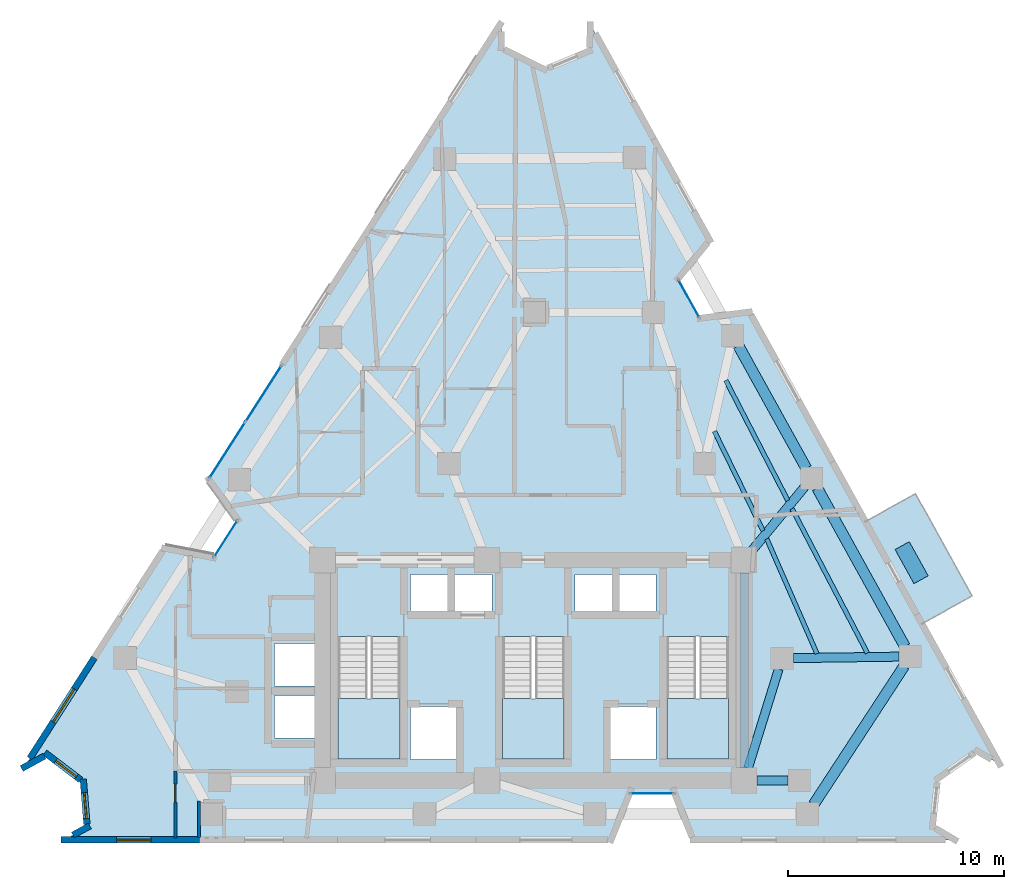
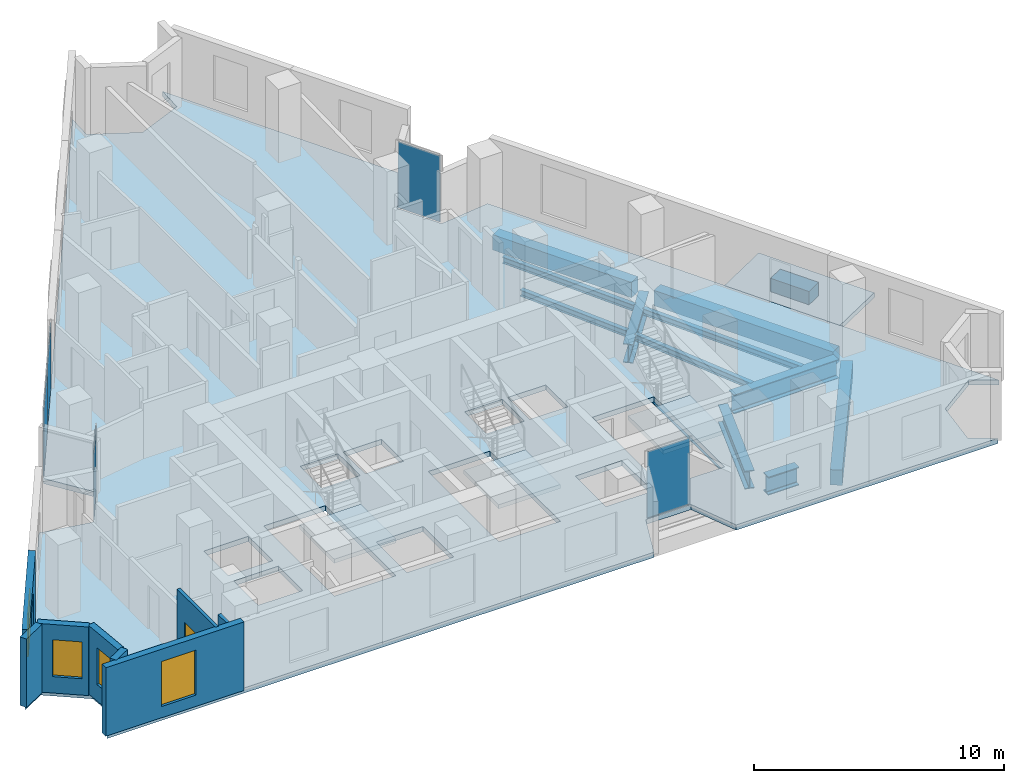
# One storey, part 4 of 11: 12 beams, 8 walls, 6 plates, 5 slabs, 4 windows, 1 door, 5 openings, 7 elements without a shape of their own.
"""IFC4 building model written with IfcOpenShell, lengths in metres."""

from ifc_helpers import new_model, si_unit, direction, frame, frame_2d, origin, origin_2d, place, context, subcontext, project, spatial, polyline, rectangle, i_section, outline, extrude, material, layer, layer_set, material_profile, profile_set, type_object, element, fill, aggregate, save


model = new_model("IFC4")

# Units and contexts
model_context = context("Model", 3, precision=1e-05, world=origin(), true_north=direction((0.0, 1.0)))
body_context = subcontext(model_context, "Body", "Model", "MODEL_VIEW")
ifc_project = project(units=[si_unit("LENGTHUNIT", "METRE"), si_unit("AREAUNIT", "SQUARE_METRE"), si_unit("VOLUMEUNIT", "CUBIC_METRE"), si_unit("PLANEANGLEUNIT", "RADIAN"), si_unit("MASSUNIT", "GRAM", prefix="KILO")], contexts=[model_context])

# Site, building, storey
site_placement = place(None, origin())
site = spatial("IfcSite", under=ifc_project, at=site_placement, CompositionType="ELEMENT")
building_placement = place(site_placement, origin())
building = spatial("IfcBuilding", under=site, at=building_placement, Name="Almagre Mirador Tower", CompositionType="ELEMENT")
storey_placement = place(building_placement, frame((0.0, 0.0, 160.800048828125)))
storey = spatial("IfcBuildingStorey", under=building, at=storey_placement, Name="L41", CompositionType="ELEMENT", Elevation=160.800048828125)

# Beams
ifc_material_1 = material(Name="Steel ASTM A992 Grade 50", Category="steel")
ifc_material_profile_1 = material_profile(ifc_material_1, i_section(OverallWidth=0.205078125, OverallDepth=0.31005859375, WebThickness=0.009521484375, FlangeThickness=0.016357421875, FilletRadius=0.013916015625, at=origin_2d()), Name="W12X50")
ifc_profile_set_1 = profile_set([ifc_material_profile_1], Name="Steel ASTM A992 Grade 50")
beam_type_1 = type_object("IfcBeamType", Name="BM-JST-W12X50", PredefinedType="JOIST", material=ifc_profile_set_1)
beam_1_placement = place(storey_placement, frame((52.744873046875, 10.44189453125, -0.405029296875), z_axis=(-0.462461864281, 0.886639173557, 0.0), x_axis=(-0.886639173557, -0.462461864281, 0.0)))
element("IfcBeam", 1, at=beam_1_placement, inside=storey, type_object=beam_type_1, Name="L41 secondary floor joist PC05-PC06.1", PredefinedType="JOIST", context=body_context, shape_type="SweptSolid", body=[
    extrude(i_section(OverallWidth=0.205078125, OverallDepth=0.31005859375, WebThickness=0.009521484375, FlangeThickness=0.016357421875, FilletRadius=0.013916015625, at=origin_2d()), origin(), (0.0, 0.0, 1.0), 7.53125),
])
beam_2_placement = place(storey_placement, frame((50.413330078125, 10.415283203125, -0.405029296875), z_axis=(-0.400714832281, 0.91620282863, 0.0), x_axis=(-0.91620282863, -0.400714832281, 0.0)))
element("IfcBeam", 2, at=beam_2_placement, inside=storey, type_object=beam_type_1, Name="L41 secondary floor joist PC05-PC06.3", PredefinedType="JOIST", context=body_context, shape_type="SweptSolid", body=[
    extrude(i_section(OverallWidth=0.205078125, OverallDepth=0.31005859375, WebThickness=0.009521484375, FlangeThickness=0.016357421875, FilletRadius=0.013916015625, at=origin_2d()), origin(), (0.0, 0.0, 1.0), 5.7880859375),
])
beam_3_placement = place(storey_placement, frame((49.069580078125, 17.490478515625, -0.405029296875), z_axis=(-0.458793060053, 0.888543149232, 0.0), x_axis=(-0.888543149232, -0.458793060053, 0.0)))
element("IfcBeam", 3, at=beam_3_placement, inside=storey, type_object=beam_type_1, Name="L41 secondary floor joist PC06-PC07.1", PredefinedType="JOIST", context=body_context, shape_type="SweptSolid", body=[
    extrude(i_section(OverallWidth=0.205078125, OverallDepth=0.31005859375, WebThickness=0.009521484375, FlangeThickness=0.016357421875, FilletRadius=0.013916015625, at=origin_2d()), origin(), (0.0, 0.0, 1.0), 6.254150390625),
])
beam_4_placement = place(storey_placement, frame((47.91845703125, 16.097412109375, -0.405029296875), z_axis=(-0.439128899416, 0.898424070079, 0.0), x_axis=(-0.898424070079, -0.439128899416, 0.0)))
element("IfcBeam", 4, at=beam_4_placement, inside=storey, type_object=beam_type_1, Name="L41 secondary floor joist PC06-PC07.3", PredefinedType="JOIST", context=body_context, shape_type="SweptSolid", body=[
    extrude(i_section(OverallWidth=0.205078125, OverallDepth=0.31005859375, WebThickness=0.009521484375, FlangeThickness=0.016357421875, FilletRadius=0.013916015625, at=origin_2d()), origin(), (0.0, 0.0, 1.0), 5.12109375),
])
ifc_material_2 = material(Name="Precast concrete C50/60", Category="concrete")
ifc_material_profile_2 = material_profile(ifc_material_2, rectangle(XDim=0.5, YDim=0.75, at=origin_2d()), Name="RC500X750")
ifc_profile_set_2 = profile_set([ifc_material_profile_2], Name="Precast concrete C50/60")
beam_type_2 = type_object("IfcBeamType", Name="BM-SPN-RC500X750", PredefinedType="SPANDREL", material=ifc_profile_set_2)
beam_5_placement = place(storey_placement, frame((50.26318359375, 3.439453125, -0.625), z_axis=(0.546935461459, 0.83717477327, 0.0), x_axis=(-0.83717477327, 0.546935461459, 0.0)))
element("IfcBeam", 5, at=beam_5_placement, inside=storey, type_object=beam_type_2, Name="L41 perimeter spandrel beam PC04-PC05", PredefinedType="SPANDREL", context=body_context, shape_type="SweptSolid", body=[
    extrude(rectangle(XDim=0.5, YDim=0.75, at=origin_2d()), origin(), (0.0, 0.0, 1.0), 7.649658203125),
])
beam_6_placement = place(storey_placement, frame((54.479736328125, 10.742431640625, -0.625), z_axis=(-0.484193045523, 0.874961196092, 0.0), x_axis=(-0.874961196092, -0.484193045523, 0.0)))
element("IfcBeam", 6, at=beam_6_placement, inside=storey, type_object=beam_type_2, Name="L41 perimeter spandrel beam PC05-PC06", PredefinedType="SPANDREL", context=body_context, shape_type="SweptSolid", body=[
    extrude(rectangle(XDim=0.5, YDim=0.75, at=origin_2d()), origin(), (0.0, 0.0, 1.0), 8.36767578125),
])
beam_7_placement = place(storey_placement, frame((49.919921875, 18.982421875, -0.625), z_axis=(-0.484219637984, 0.874946479615, 0.0), x_axis=(-0.874946479615, -0.484219637984, 0.0)))
element("IfcBeam", 7, at=beam_7_placement, inside=storey, type_object=beam_type_2, Name="L41 perimeter spandrel beam PC06-PC07", PredefinedType="SPANDREL", context=body_context, shape_type="SweptSolid", body=[
    extrude(rectangle(XDim=0.5, YDim=0.75, at=origin_2d()), origin(), (0.0, 0.0, 1.0), 6.48388671875),
])
ifc_material_3 = material(Name="Steel ASTM A992 Grade 50", Category="steel")
ifc_material_profile_3 = material_profile(ifc_material_3, i_section(OverallWidth=0.404052734375, OverallDepth=0.884033203125, WebThickness=0.0244140625, FlangeThickness=0.0439453125, FilletRadius=0.02490234375, at=origin_2d()), Name="W33X291")
ifc_profile_set_3 = profile_set([ifc_material_profile_3], Name="Steel ASTM A992 Grade 50")
beam_type_3 = type_object("IfcBeamType", Name="BM-STL-W33X291", PredefinedType="BEAM", material=ifc_profile_set_3)
beam_8_placement = place(storey_placement, frame((47.050048828125, 5.14990234375, -0.692138671875), z_axis=(0.0, 1.0, 0.0), x_axis=(-1.0, 0.0, 0.0)))
element("IfcBeam", 8, at=beam_8_placement, inside=storey, type_object=beam_type_3, Name="L41 core tie girder CC3-CC6", PredefinedType="BEAM", context=body_context, shape_type="SweptSolid", body=[
    extrude(i_section(OverallWidth=0.404052734375, OverallDepth=0.884033203125, WebThickness=0.0244140625, FlangeThickness=0.0439453125, FilletRadius=0.02490234375, at=origin_2d()), origin(), (0.0, 0.0, 1.0), 9.0),
])
beam_9_placement = place(storey_placement, frame((49.074951171875, 4.550048828125, -0.692138671875), z_axis=(-1.0, 0.0, 0.0), x_axis=(0.0, -1.0, 0.0)))
element("IfcBeam", 9, at=beam_9_placement, inside=storey, type_object=beam_type_3, Name="L41 core tie girder MC2-CC3", PredefinedType="BEAM", context=body_context, shape_type="SweptSolid", body=[
    extrude(i_section(OverallWidth=0.404052734375, OverallDepth=0.884033203125, WebThickness=0.0244140625, FlangeThickness=0.0439453125, FilletRadius=0.02490234375, at=origin_2d()), origin(), (0.0, 0.0, 1.0), 1.425048828125),
])
beam_10_placement = place(storey_placement, frame((48.644775390625, 9.698486328125, -0.692138671875), z_axis=(-0.295879743348, -0.955225197258, 0.0), x_axis=(0.955225197258, -0.295879743348, 0.0)))
element("IfcBeam", 10, at=beam_10_placement, inside=storey, type_object=beam_type_3, Name="L41 core tie girder MC3-CC3", PredefinedType="BEAM", context=body_context, shape_type="SweptSolid", body=[
    extrude(i_section(OverallWidth=0.404052734375, OverallDepth=0.884033203125, WebThickness=0.0244140625, FlangeThickness=0.0439453125, FilletRadius=0.02490234375, at=origin_2d()), origin(), (0.0, 0.0, 1.0), 4.789794921875),
])
ifc_material_4 = material(Name="Steel ASTM A992 Grade 50", Category="steel")
ifc_material_profile_4 = material_profile(ifc_material_4, i_section(OverallWidth=0.41796875, OverallDepth=0.927001953125, WebThickness=0.019287109375, FlangeThickness=0.031982421875, FilletRadius=0.028076171875, at=origin_2d()), Name="W36X231")
ifc_profile_set_4 = profile_set([ifc_material_profile_4], Name="Steel ASTM A992 Grade 50")
beam_type_4 = type_object("IfcBeamType", Name="BM-STL-W36X231", PredefinedType="BEAM", material=ifc_profile_set_4)
beam_11_placement = place(storey_placement, frame((54.208984375, 10.275634765625, -0.713623046875), z_axis=(-0.999902063371, -0.013995130105, 0.0), x_axis=(0.013995130105, -0.999902063371, 0.0)))
element("IfcBeam", 11, at=beam_11_placement, inside=storey, type_object=beam_type_4, Name="L41 radial floor girder PC05-MC3", PredefinedType="BEAM", context=body_context, shape_type="SweptSolid", body=[
    extrude(i_section(OverallWidth=0.41796875, OverallDepth=0.927001953125, WebThickness=0.019287109375, FlangeThickness=0.031982421875, FilletRadius=0.028076171875, at=origin_2d()), origin(), (0.0, 0.0, 1.0), 4.884521484375),
])
beam_12_placement = place(storey_placement, frame((49.839111328125, 18.11865234375, -0.713623046875), z_axis=(-0.637743806267, -0.770248555707, 0.0), x_axis=(0.770248555707, -0.637743806267, 0.0)))
element("IfcBeam", 12, at=beam_12_placement, inside=storey, type_object=beam_type_4, Name="L41 radial floor girder PC06-CC6", PredefinedType="BEAM", context=body_context, shape_type="SweptSolid", body=[
    extrude(i_section(OverallWidth=0.41796875, OverallDepth=0.927001953125, WebThickness=0.019287109375, FlangeThickness=0.031982421875, FilletRadius=0.028076171875, at=origin_2d()), origin(), (0.0, 0.0, 1.0), 3.7734375),
])

# Curtain wall, plate
ifc_material_5 = material(Name="Black anodized aluminium", Category="aluminium")
ifc_layer_1 = layer(ifc_material_5, 0.169921875)
ifc_layer_set_1 = layer_set([ifc_layer_1], Name="Black anodized aluminium")
curtain_wall_type_1 = type_object("IfcCurtainWallType", Name="CW-CRS-SYS", PredefinedType="NOTDEFINED", material=ifc_layer_set_1)
curtain_wall_1_placement = place(storey_placement, origin())
curtain_wall_1 = element("IfcCurtainWall", 13, at=curtain_wall_1_placement, inside=storey, type_object=curtain_wall_type_1, Name="L41 vertical crease curtain wall 01", PredefinedType="NOTDEFINED")
ifc_material_6 = material(Name="Dark solar-control laminated hurricane glass", Category="glass")
ifc_layer_2 = layer(ifc_material_6, 0.028076171875)
ifc_layer_set_2 = layer_set([ifc_layer_2], Name="Dark solar-control laminated hurricane glass")
plate_type_1 = type_object("IfcPlateType", Name="PLT-GLZ-28", PredefinedType="CURTAIN_PANEL", material=ifc_layer_set_2)
plate_1_placement = place(storey_placement, frame((23.076904296875, 15.72607421875, 0.06005859375), z_axis=(0.0, 0.0, 1.0), x_axis=(0.539596564827, 0.841923718176, 0.0)))
plate_1 = element("IfcPlate", 14, at=plate_1_placement, type_object=plate_type_1, Name="CW-4 panel 1.1", PredefinedType="CURTAIN_PANEL", context=body_context, shape_type="SweptSolid", body=[
    extrude(rectangle(XDim=1.970458984375, YDim=0.028076171875, at=origin_2d()), origin(), (0.0, 0.0, 1.0), 3.22998046875),
])
aggregate(curtain_wall_1, [plate_1])

curtain_wall_2_placement = place(storey_placement, origin())
curtain_wall_2 = element("IfcCurtainWall", 15, at=curtain_wall_2_placement, inside=storey, type_object=curtain_wall_type_1, Name="L41 vertical crease curtain wall 03", PredefinedType="NOTDEFINED")
plate_2_placement = place(storey_placement, frame((44.490966796875, 26.8310546875, 0.06005859375), z_axis=(0.0, 0.0, 1.0), x_axis=(0.48434204979, -0.874878722341, 0.0)))
plate_2 = element("IfcPlate", 16, at=plate_2_placement, type_object=plate_type_1, Name="CW-4 panel 1.1", PredefinedType="CURTAIN_PANEL", context=body_context, shape_type="SweptSolid", body=[
    extrude(rectangle(XDim=1.969482421875, YDim=0.028076171875, at=origin_2d()), origin(), (0.0, 0.0, 1.0), 3.22998046875),
])
aggregate(curtain_wall_2, [plate_2])

curtain_wall_3_placement = place(storey_placement, origin())
curtain_wall_3 = element("IfcCurtainWall", 17, at=curtain_wall_3_placement, inside=storey, type_object=curtain_wall_type_1, Name="L41 vertical crease curtain wall 04", PredefinedType="NOTDEFINED")
plate_3_placement = place(storey_placement, frame((42.7919921875, 3.949951171875, 0.06005859375), z_axis=(0.0, 0.0, 1.0), x_axis=(-1.0, 0.0, 0.0)))
plate_3 = element("IfcPlate", 18, at=plate_3_placement, type_object=plate_type_1, Name="CW-4 panel 1.1", PredefinedType="CURTAIN_PANEL", context=body_context, shape_type="SweptSolid", body=[
    extrude(rectangle(XDim=1.969970703125, YDim=0.028076171875, at=origin_2d()), origin(), (0.0, 0.0, 1.0), 3.22998046875),
])
aggregate(curtain_wall_3, [plate_3])

# Curtain wall, plates
ifc_material_7 = material(Name="Black anodized aluminium", Category="aluminium")
ifc_layer_3 = layer(ifc_material_7, 0.199951171875)
ifc_layer_set_3 = layer_set([ifc_layer_3], Name="Black anodized aluminium")
curtain_wall_type_2 = type_object("IfcCurtainWallType", Name="CW-RES-H-SYS", PredefinedType="NOTDEFINED", material=ifc_layer_set_3)
curtain_wall_4_placement = place(storey_placement, origin())
curtain_wall_4 = element("IfcCurtainWall", 19, at=curtain_wall_4_placement, inside=storey, type_object=curtain_wall_type_2, Name="L41 curtain wall run 02", PredefinedType="NOTDEFINED")
ifc_material_8 = material(Name="Dark solar-control laminated hurricane glass", Category="glass")
ifc_layer_4 = layer(ifc_material_8, 0.035888671875)
ifc_layer_set_4 = layer_set([ifc_layer_4], Name="Dark solar-control laminated hurricane glass")
plate_type_2 = type_object("IfcPlateType", Name="PLT-GLZ-36", PredefinedType="CURTAIN_PANEL", material=ifc_layer_set_4)
plate_4_placement = place(storey_placement, frame((23.147705078125, 19.8203125, 0.06494140625), z_axis=(0.0, 0.0, 1.0), x_axis=(0.539506915253, 0.841981168669, 0.0)))
plate_4 = element("IfcPlate", 20, at=plate_4_placement, type_object=plate_type_2, Name="CW-3 panel 1.1", PredefinedType="CURTAIN_PANEL", context=body_context, shape_type="SweptSolid", body=[
    extrude(rectangle(XDim=3.0419921875, YDim=0.035888671875, at=origin_2d()), origin(), (0.0, 0.0, 1.0), 3.219970703125),
])
plate_5_placement = place(storey_placement, frame((24.823974609375, 22.436279296875, 0.06494140625), z_axis=(0.0, 0.0, 1.0), x_axis=(0.539506915253, 0.841981168669, 0.0)))
plate_5 = element("IfcPlate", 21, at=plate_5_placement, type_object=plate_type_2, Name="CW-3 panel 2.1", PredefinedType="CURTAIN_PANEL", context=body_context, shape_type="SweptSolid", body=[
    extrude(rectangle(XDim=3.0419921875, YDim=0.035888671875, at=origin_2d()), origin(), (0.0, 0.0, 1.0), 3.219970703125),
])
aggregate(curtain_wall_4, [plate_4, plate_5])

# Plate
ifc_material_9 = material(Name="Precast concrete C50/60", Category="concrete")
ifc_layer_5 = layer(ifc_material_9, 0.64990234375)
ifc_layer_set_5 = layer_set([ifc_layer_5], Name="Precast concrete C50/60")
plate_type_3 = type_object("IfcPlateType", Name="PLT-PLANTER-1800", PredefinedType="USERDEFINED", material=ifc_layer_set_5)
plate_6_placement = place(storey_placement, frame((54.791015625, 14.6201171875, 0.0), z_axis=(0.0, 0.0, 1.0), x_axis=(-0.484198902407, 0.874957954937, 0.0)))
element("IfcPlate", 22, at=plate_6_placement, inside=storey, type_object=plate_type_3, Name="L41 east balcony structural tree planter 1", ObjectType="PLANTER", PredefinedType="USERDEFINED", context=body_context, shape_type="SweptSolid", body=[
    extrude(rectangle(XDim=1.800048828125, YDim=0.75, at=origin_2d()), origin(), (0.0, 0.0, 1.0), 0.64990234375),
])

# Slabs
ifc_material_10 = material(Name="Concrete C45/55", Category="concrete")
ifc_layer_6 = layer(ifc_material_10, 0.239990234375)
ifc_layer_set_6 = layer_set([ifc_layer_6], Name="Concrete C45/55")
slab_type_1 = type_object("IfcSlabType", Name="SLB-BAL-240", PredefinedType="USERDEFINED", material=ifc_layer_set_6)
slab_1_placement = place(storey_placement, frame((0.0, 0.0, -0.239990234375)))
element("IfcSlab", 23, at=slab_1_placement, inside=storey, type_object=slab_type_1, Name="L41 east planted tree balcony 1", ObjectType="BALCONY", PredefinedType="USERDEFINED", context=body_context, shape_type="SweptSolid", body=[
    extrude(outline(polyline([(55.25, 11.7880859375), (52.635986328125, 16.511962890625), (54.970947265625, 17.805908203125), (57.5859375, 13.0810546875), (55.25, 11.7880859375)])), origin(), (0.0, 0.0, 1.0), 0.239990234375),
])
ifc_material_11 = material(Name="Concrete C45/55", Category="concrete")
ifc_layer_7 = layer(ifc_material_11, 0.25)
ifc_layer_set_7 = layer_set([ifc_layer_7], Name="Concrete C45/55")
slab_type_2 = type_object("IfcSlabType", Name="SLB-FLR-250", PredefinedType="FLOOR", material=ifc_layer_set_7)
slab_2_placement = place(storey_placement, frame((0.0, 0.0, -0.25)))
element("IfcSlab", 24, at=slab_2_placement, inside=storey, type_object=slab_type_2, Name="L41 structural floor slab", PredefinedType="FLOOR", context=body_context, shape_type="SweptSolid", body=[
    extrude(outline(polyline([(13.758056640625, 5.16796875), (14.823974609375, 5.7509765625), (16.49609375, 4.47705078125), (16.666015625, 2.383056640625), (15.60009765625, 1.800048828125), (40.89208984375, 1.800048828125), (41.7470703125, 3.949951171875), (43.8369140625, 3.949951171875), (44.69189453125, 1.800048828125), (56.800048828125, 1.800048828125), (55.7529296875, 2.4169921875), (55.992919921875, 4.634033203125), (57.81689453125, 5.9169921875), (58.863037109375, 5.300048828125), (47.2919921875, 26.2099609375), (44.9970703125, 25.9169921875), (43.985107421875, 27.7451171875), (45.451904296875, 29.533935546875), (39.93701171875, 39.5), (39.89794921875, 38.285888671875), (37.820068359375, 37.423095703125), (35.802978515625, 38.41796875), (35.842041015625, 39.632080078125), (22.2919921875, 18.485107421875), (23.64111328125, 16.60595703125), (22.512939453125, 14.845947265625), (20.240966796875, 15.285888671875), (13.758056640625, 5.16796875)]), holes=[polyline([(43.47509765625, 5.550048828125), (43.47509765625, 11.196044921875), (46.324951171875, 11.196044921875), (46.324951171875, 5.550048828125), (43.47509765625, 5.550048828125)]), polyline([(40.820068359375, 5.52001953125), (40.820068359375, 7.97998046875), (42.97998046875, 7.97998046875), (42.97998046875, 5.52001953125), (40.820068359375, 5.52001953125)]), polyline([(41.219970703125, 12.320068359375), (41.219970703125, 14.080078125), (42.97998046875, 14.080078125), (42.97998046875, 12.320068359375), (41.219970703125, 12.320068359375)]), polyline([(39.219970703125, 12.320068359375), (39.219970703125, 14.080078125), (40.97998046875, 14.080078125), (40.97998046875, 12.320068359375), (39.219970703125, 12.320068359375)]), polyline([(35.875, 11.196044921875), (38.72509765625, 11.196044921875), (38.72509765625, 5.550048828125), (35.875, 5.550048828125), (35.875, 11.196044921875)]), polyline([(35.3798828125, 12.320068359375), (33.6201171875, 12.320068359375), (33.6201171875, 14.080078125), (35.3798828125, 14.080078125), (35.3798828125, 12.320068359375)]), polyline([(33.780029296875, 5.52001953125), (31.6201171875, 5.52001953125), (31.6201171875, 7.97998046875), (33.780029296875, 7.97998046875), (33.780029296875, 5.52001953125)]), polyline([(31.6201171875, 12.320068359375), (31.6201171875, 14.080078125), (33.3798828125, 14.080078125), (33.3798828125, 12.320068359375), (31.6201171875, 12.320068359375)]), polyline([(28.27490234375, 5.550048828125), (28.27490234375, 11.196044921875), (31.125, 11.196044921875), (31.125, 5.550048828125), (28.27490234375, 5.550048828125)]), polyline([(25.320068359375, 8.919921875), (25.320068359375, 10.8798828125), (27.3798828125, 10.8798828125), (27.3798828125, 8.919921875), (25.320068359375, 8.919921875)]), polyline([(27.3798828125, 6.52001953125), (25.320068359375, 6.52001953125), (25.320068359375, 8.47998046875), (27.3798828125, 8.47998046875), (27.3798828125, 6.52001953125)])]), origin(), (0.0, 0.0, 1.0), 0.25),
])

# Stair, slab
ifc_material_12 = material(Name="Concrete C45/55", Category="concrete")
stair_type = type_object("IfcStairType", Name="STR-DL-3600", PredefinedType="HALF_TURN_STAIR", material=ifc_material_12)
stair_1_placement = place(storey_placement, origin())
stair_1 = element("IfcStair", 25, at=stair_1_placement, inside=storey, type_object=stair_type, Name="L41 Protected exit stair ST-1", PredefinedType="HALF_TURN_STAIR")
ifc_material_13 = material(Name="Concrete C45/55", Category="concrete")
ifc_layer_8 = layer(ifc_material_13, 0.199951171875)
ifc_layer_set_8 = layer_set([ifc_layer_8], Name="Concrete C45/55")
slab_type_3 = type_object("IfcSlabType", Name="SLB-LND-200", PredefinedType="LANDING", material=ifc_layer_set_8)
slab_3_placement = place(storey_placement, frame((0.0, 0.0, 1.599853515625)))
slab_3 = element("IfcSlab", 26, at=slab_3_placement, type_object=slab_type_3, Name="ST-1 landing 1", PredefinedType="LANDING", context=body_context, shape_type="SweptSolid", body=[
    extrude(outline(polyline([(28.27490234375, 8.35009765625), (28.27490234375, 5.550048828125), (31.125, 5.550048828125), (31.125, 8.35009765625), (28.27490234375, 8.35009765625)])), origin(), (0.0, 0.0, 1.0), 0.2001953125),
])
aggregate(stair_1, [slab_3])

stair_2_placement = place(storey_placement, origin())
stair_2 = element("IfcStair", 27, at=stair_2_placement, inside=storey, type_object=stair_type, Name="L41 Protected exit stair ST-2", PredefinedType="HALF_TURN_STAIR")
slab_4_placement = place(storey_placement, frame((0.0, 0.0, 1.599853515625)))
slab_4 = element("IfcSlab", 28, at=slab_4_placement, type_object=slab_type_3, Name="ST-2 landing 1", PredefinedType="LANDING", context=body_context, shape_type="SweptSolid", body=[
    extrude(outline(polyline([(35.875, 8.35009765625), (35.875, 5.550048828125), (38.72509765625, 5.550048828125), (38.72509765625, 8.35009765625), (35.875, 8.35009765625)])), origin(), (0.0, 0.0, 1.0), 0.2001953125),
])
aggregate(stair_2, [slab_4])

stair_3_placement = place(storey_placement, origin())
stair_3 = element("IfcStair", 29, at=stair_3_placement, inside=storey, type_object=stair_type, Name="L41 Protected exit stair ST-3", PredefinedType="HALF_TURN_STAIR")
slab_5_placement = place(storey_placement, frame((0.0, 0.0, 1.599853515625)))
slab_5 = element("IfcSlab", 30, at=slab_5_placement, type_object=slab_type_3, Name="ST-3 landing 1", PredefinedType="LANDING", context=body_context, shape_type="SweptSolid", body=[
    extrude(outline(polyline([(43.47509765625, 8.35009765625), (43.47509765625, 5.550048828125), (46.324951171875, 5.550048828125), (46.324951171875, 8.35009765625), (43.47509765625, 8.35009765625)])), origin(), (0.0, 0.0, 1.0), 0.2001953125),
])
aggregate(stair_3, [slab_5])

# Wall, opening, window
ifc_material_14 = material(Name="Precast concrete C50/60", Category="concrete")
ifc_layer_9 = layer(ifc_material_14, 0.300048828125)
ifc_layer_set_9 = layer_set([ifc_layer_9], Name="Precast concrete C50/60")
wall_type_1 = type_object("IfcWallType", Name="WAL-EXT-300", PredefinedType="SOLIDWALL", material=ifc_layer_set_9)
wall_1_placement = place(storey_placement, frame((21.85302734375, 1.800048828125, 0.0), z_axis=(0.0, 0.0, 1.0), x_axis=(-1.0, 0.0, 0.0)))
wall_1 = element("IfcWall", 31, at=wall_1_placement, inside=storey, type_object=wall_type_1, Name="L41 expressed almagre precast frame wall 28", PredefinedType="SOLIDWALL", context=body_context, shape_type="SweptSolid", body=[
    extrude(rectangle(XDim=6.39306640625, YDim=0.300048828125, at=frame_2d((3.196533203125, 0.0))), origin(), (0.0, 0.0, 1.0), 3.349853515625),
])
opening_1_placement = place(wall_1_placement, frame((2.22509765625, 0.0, 0.550048828125)))
opening_1 = element("IfcOpeningElement", 32, at=opening_1_placement, cuts=wall_1, Name="Opening WN-06", PredefinedType="OPENING", context=body_context, shape_type="SweptSolid", body=[
    extrude(rectangle(XDim=1.60009765625, YDim=2.199951171875, at=frame_2d((0.800048828125, 1.10009765625))), frame((0.0, 0.159902, 0.0), z_axis=(0.0, -1.0, 0.0), x_axis=(1.0, 0.0, 0.0)), (0.0, 0.0, 1.0), 0.320049),
])
ifc_material_15 = material(Name="Dark solar-control laminated hurricane glass", Category="glass")
window_type_1 = type_object("IfcWindowType", Name="WIN-1600X2200", PartitioningType="DOUBLE_PANEL_VERTICAL", PredefinedType="WINDOW", material=ifc_material_15)
window_1_placement = place(opening_1_placement, origin())
window_1 = element("IfcWindow", 33, at=window_1_placement, inside=storey, type_object=window_type_1, Name="L41 recessed hurricane window L41-UA-LV", OverallHeight=2.199951171875, OverallWidth=1.60009765625, PartitioningType="SINGLE_PANEL", PredefinedType="WINDOW", context=body_context, shape_type="SweptSolid", body=[
    extrude(rectangle(XDim=1.60009765625, YDim=2.199951171875, at=frame_2d((0.800048828125, 1.10009765625))), frame((0.0, 0.030029296875, 0.0), z_axis=(0.0, -1.0, 0.0), x_axis=(1.0, 0.0, 0.0)), (0.0, 0.0, 1.0), 0.06005859375),
])
fill(opening_1, window_1)

# Wall
wall_2_placement = place(storey_placement, frame((16.012451171875, 2.025390625, 0.0), z_axis=(0.0, 0.0, 1.0), x_axis=(0.877262241919, 0.480011415389, 0.0)))
element("IfcWall", 34, at=wall_2_placement, inside=storey, type_object=wall_type_1, Name="L41 expressed almagre precast frame wall 29", PredefinedType="SOLIDWALL", context=body_context, shape_type="SweptSolid", body=[
    extrude(rectangle(XDim=0.885009765625, YDim=0.300048828125, at=frame_2d((0.4423828125, 0.0))), origin(), (0.0, 0.0, 1.0), 3.349853515625),
])

# Wall, opening, window
wall_3_placement = place(storey_placement, frame((16.654296875, 2.527587890625, 0.0), z_axis=(0.0, 0.0, 1.0), x_axis=(-0.080962879454, 0.996717117416, 0.0)))
wall_3 = element("IfcWall", 35, at=wall_3_placement, inside=storey, type_object=wall_type_1, Name="L41 expressed almagre precast frame wall 30", PredefinedType="SOLIDWALL", context=body_context, shape_type="SweptSolid", body=[
    extrude(rectangle(XDim=2.095703125, YDim=0.300048828125, at=frame_2d((1.0478515625, 0.0))), origin(), (0.0, 0.0, 1.0), 3.349853515625),
])
opening_2_placement = place(wall_3_placement, frame((0.264892578125, 0.0, 0.800048828125)))
opening_2 = element("IfcOpeningElement", 36, at=opening_2_placement, cuts=wall_3, Name="Opening WN-04", PredefinedType="OPENING", context=body_context, shape_type="SweptSolid", body=[
    extrude(rectangle(XDim=1.199951171875, YDim=1.800048828125, at=frame_2d((0.60009765625, 0.89990234375))), frame((0.0, 0.159902, 0.0), z_axis=(0.0, -1.0, 0.0), x_axis=(1.0, 0.0, 0.0)), (0.0, 0.0, 1.0), 0.320049),
])
ifc_material_16 = material(Name="Dark solar-control laminated hurricane glass", Category="glass")
window_type_2 = type_object("IfcWindowType", Name="WIN-1200X1800", PartitioningType="SINGLE_PANEL", PredefinedType="WINDOW", material=ifc_material_16)
window_2_placement = place(opening_2_placement, origin())
window_2 = element("IfcWindow", 37, at=window_2_placement, inside=storey, type_object=window_type_2, Name="L41 recessed hurricane window L41-UA-LV", OverallHeight=1.800048828125, OverallWidth=1.199951171875, PartitioningType="SINGLE_PANEL", PredefinedType="WINDOW", context=body_context, shape_type="SweptSolid", body=[
    extrude(rectangle(XDim=1.199951171875, YDim=1.800048828125, at=frame_2d((0.60009765625, 0.89990234375))), frame((0.0, 0.030029296875, 0.0), z_axis=(0.0, -1.0, 0.0), x_axis=(1.0, 0.0, 0.0)), (0.0, 0.0, 1.0), 0.06005859375),
])
fill(opening_2, window_2)

wall_4_placement = place(storey_placement, frame((16.376708984375, 4.56787109375, 0.0), z_axis=(0.0, 0.0, 1.0), x_axis=(-0.795383499791, 0.606106499107, 0.0)))
wall_4 = element("IfcWall", 38, at=wall_4_placement, inside=storey, type_object=wall_type_1, Name="L41 expressed almagre precast frame wall 31", PredefinedType="SOLIDWALL", context=body_context, shape_type="SweptSolid", body=[
    extrude(rectangle(XDim=2.092041015625, YDim=0.300048828125, at=frame_2d((1.0458984375, 0.0))), origin(), (0.0, 0.0, 1.0), 3.349853515625),
])
opening_3_placement = place(wall_4_placement, frame((0.260009765625, 0.0, 0.800048828125)))
opening_3 = element("IfcOpeningElement", 39, at=opening_3_placement, cuts=wall_4, Name="Opening WN-04", PredefinedType="OPENING", context=body_context, shape_type="SweptSolid", body=[
    extrude(rectangle(XDim=1.199951171875, YDim=1.800048828125, at=frame_2d((0.60009765625, 0.89990234375))), frame((0.0, 0.159902, 0.0), z_axis=(0.0, -1.0, 0.0), x_axis=(1.0, 0.0, 0.0)), (0.0, 0.0, 1.0), 0.320049),
])
window_3_placement = place(opening_3_placement, origin())
window_3 = element("IfcWindow", 40, at=window_3_placement, inside=storey, type_object=window_type_2, Name="L41 recessed hurricane window L41-UA-LV", OverallHeight=1.800048828125, OverallWidth=1.199951171875, PartitioningType="SINGLE_PANEL", PredefinedType="WINDOW", context=body_context, shape_type="SweptSolid", body=[
    extrude(rectangle(XDim=1.199951171875, YDim=1.800048828125, at=frame_2d((0.60009765625, 0.89990234375))), frame((0.0, 0.030029296875, 0.0), z_axis=(0.0, -1.0, 0.0), x_axis=(1.0, 0.0, 0.0)), (0.0, 0.0, 1.0), 0.06005859375),
])
fill(opening_3, window_3)

# Wall
wall_5_placement = place(storey_placement, frame((14.69677734375, 5.681396484375, 0.0), z_axis=(0.0, 0.0, 1.0), x_axis=(-0.877355211776, -0.47984146587, 0.0)))
element("IfcWall", 41, at=wall_5_placement, inside=storey, type_object=wall_type_1, Name="L41 expressed almagre precast frame wall 32", PredefinedType="SOLIDWALL", context=body_context, shape_type="SweptSolid", body=[
    extrude(rectangle(XDim=1.2099609375, YDim=0.300048828125, at=frame_2d((0.60498046875, 0.0))), origin(), (0.0, 0.0, 1.0), 3.349853515625),
])

# Wall, opening, window
wall_6_placement = place(storey_placement, frame((14.01708984375, 5.572021484375, 0.0), z_axis=(0.0, 0.0, 1.0), x_axis=(0.539464660722, 0.84200824214, 0.0)))
wall_6 = element("IfcWall", 42, at=wall_6_placement, inside=storey, type_object=wall_type_1, Name="L41 expressed almagre precast frame wall 33", PredefinedType="SOLIDWALL", context=body_context, shape_type="SweptSolid", body=[
    extrude(rectangle(XDim=5.528564453125, YDim=0.300048828125, at=frame_2d((2.76416015625, 0.0))), origin(), (0.0, 0.0, 1.0), 3.349853515625),
])
opening_4_placement = place(wall_6_placement, frame((2.0048828125, 0.0, 0.60009765625)))
opening_4 = element("IfcOpeningElement", 43, at=opening_4_placement, cuts=wall_6, Name="Opening WN-01", PredefinedType="OPENING", context=body_context, shape_type="SweptSolid", body=[
    extrude(rectangle(XDim=1.800048828125, YDim=2.10009765625, at=frame_2d((0.89990234375, 1.050048828125))), frame((0.0, 0.159902, 0.0), z_axis=(0.0, -1.0, 0.0), x_axis=(1.0, 0.0, 0.0)), (0.0, 0.0, 1.0), 0.320049),
])
ifc_material_17 = material(Name="Dark solar-control laminated hurricane glass", Category="glass")
window_type_3 = type_object("IfcWindowType", Name="WIN-1800X2100", PartitioningType="DOUBLE_PANEL_VERTICAL", PredefinedType="WINDOW", material=ifc_material_17)
window_4_placement = place(opening_4_placement, origin())
window_4 = element("IfcWindow", 44, at=window_4_placement, inside=storey, type_object=window_type_3, Name="L41 recessed hurricane window L41-UA-LV", OverallHeight=2.10009765625, OverallWidth=1.800048828125, PartitioningType="SINGLE_PANEL", PredefinedType="WINDOW", context=body_context, shape_type="SweptSolid", body=[
    extrude(rectangle(XDim=1.800048828125, YDim=2.10009765625, at=frame_2d((0.89990234375, 1.050048828125))), frame((0.0, 0.030029296875, 0.0), z_axis=(0.0, -1.0, 0.0), x_axis=(1.0, 0.0, 0.0)), (0.0, 0.0, 1.0), 0.06005859375),
])
fill(opening_4, window_4)

# Wall, opening, door
ifc_material_18 = material(Name="Gypsum acoustic stud partition", Category="other")
ifc_layer_10 = layer(ifc_material_18, 0.14990234375)
ifc_layer_set_10 = layer_set([ifc_layer_10], Name="Gypsum acoustic stud partition")
wall_type_2 = type_object("IfcWallType", Name="WAL-PRT-150-STD", PredefinedType="PARTITIONING", material=ifc_layer_set_10)
wall_7_placement = place(storey_placement, frame((20.75, 1.89990234375, 0.0), z_axis=(0.0, 0.0, 1.0), x_axis=(0.0, 1.0, 0.0)))
wall_7 = element("IfcWall", 45, at=wall_7_placement, inside=storey, type_object=wall_type_2, Name="L41 interior partition 027", PredefinedType="PARTITIONING", context=body_context, shape_type="SweptSolid", body=[
    extrude(rectangle(XDim=3.080078125, YDim=0.14990234375, at=frame_2d((1.5400390625, 0.0))), origin(), (0.0, 0.0, 1.0), 3.349853515625),
])
opening_5_placement = place(wall_7_placement, frame((1.634521484375, 0.0, 0.0)))
opening_5 = element("IfcOpeningElement", 46, at=opening_5_placement, cuts=wall_7, Name="Opening UD-04", PredefinedType="OPENING", context=body_context, shape_type="SweptSolid", body=[
    extrude(rectangle(XDim=0.85009765625, YDim=2.10009765625, at=frame_2d((0.425048828125, 1.050048828125))), frame((0.0, 0.084951, 0.0), z_axis=(0.0, -1.0, 0.0), x_axis=(1.0, 0.0, 0.0)), (0.0, 0.0, 1.0), 0.169902),
])
ifc_material_19 = material(Name="Moisture-resistant oak timber", Category="wood")
door_type = type_object("IfcDoorType", Name="DOR-UNR-850X2100", OperationType="NOTDEFINED", PredefinedType="DOOR", material=ifc_material_19)
door_placement = place(opening_5_placement, origin())
door = element("IfcDoor", 47, at=door_placement, inside=storey, type_object=door_type, Name="DR-1325 L41 interior door L41-UA-LV to L41-UA-HB", OperationType="SINGLE_SWING_RIGHT", OverallHeight=2.10009765625, OverallWidth=0.85009765625, PredefinedType="DOOR", context=body_context, shape_type="SweptSolid", body=[
    extrude(rectangle(XDim=0.85009765625, YDim=2.10009765625, at=frame_2d((0.425048828125, 1.050048828125))), frame((0.0, 0.02490234375, 0.0), z_axis=(0.0, -1.0, 0.0), x_axis=(1.0, 0.0, 0.0)), (0.0, 0.0, 1.0), 0.050048828125),
])
fill(opening_5, door)

# Wall
wall_8_placement = place(storey_placement, frame((21.840087890625, 1.908935546875, 0.0), z_axis=(0.0, 0.0, 1.0), x_axis=(0.0, 1.0, 0.0)))
element("IfcWall", 48, at=wall_8_placement, inside=storey, type_object=wall_type_2, Name="L41 interior partition 069", PredefinedType="PARTITIONING", context=body_context, shape_type="SweptSolid", body=[
    extrude(rectangle(XDim=1.68115234375, YDim=0.14990234375, at=frame_2d((0.840576171875, 0.0))), origin(), (0.0, 0.0, 1.0), 2.570068359375),
])

save(model, "model.ifc")
